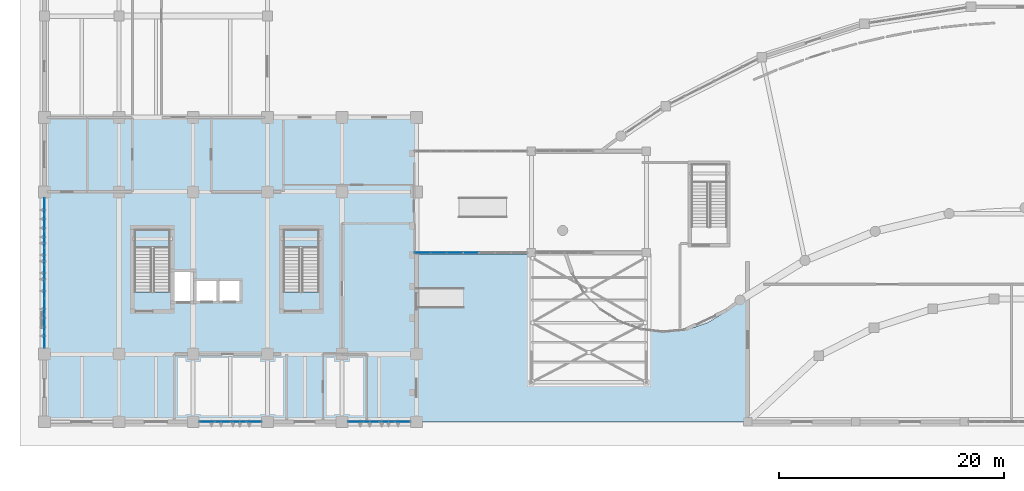
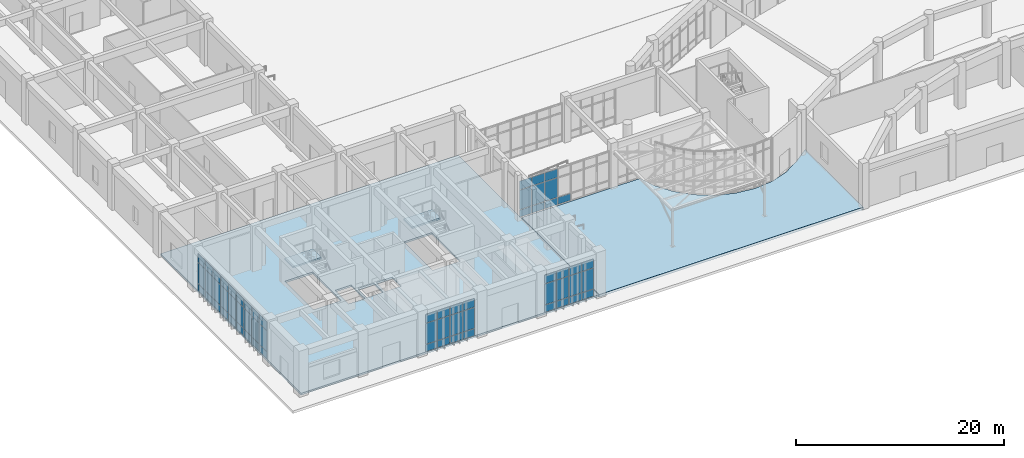
# One storey, part 36 of 70: 61 plates, 4 slabs, 6 elements without a shape of their own.
"""IFC4 building model written with IfcOpenShell, lengths in metres."""

import ifcopenshell
import ifcopenshell.guid

model = None  # the IFC model being written
_history = None  # IfcOwnerHistory: only IFC2X3 demands one
_inside = {}  # id of a spatial element -> (the spatial element, [elements in it])
_under = {}  # id of a project, library or spatial element -> (it, [spatial elements below it])
_declared = {}  # id of a project -> (the project, [libraries it declares])
_typed = {}  # id of a type object -> (the type object, [elements of that type])
_made_of = {}  # id of a material, layer set ... -> (it, [elements and type objects made of it])


def new_model(schema):
    """Start an empty IFC model of exactly this schema.

    Asked for "IFC4X3", IfcOpenShell would pick the latest addendum, in which some entities
    have other attributes; the version numbers below select the first issue.
    IFC2X3 requires an IfcOwnerHistory on every rooted entity: one is made here for all.
    """
    global model, _history
    if schema == "IFC4X3":
        model = ifcopenshell.file(schema_version=(4, 3, 0, 0))
    else:
        model = ifcopenshell.file(schema=schema)
    _inside.clear()
    _under.clear()
    _declared.clear()
    _typed.clear()
    _made_of.clear()
    _history = None
    if model.schema == "IFC2X3":
        org = make("IfcOrganization", Name="unknown")
        user = make(
            "IfcPersonAndOrganization",
            ThePerson=make("IfcPerson", FamilyName="unknown"),
            TheOrganization=org,
        )
        app = make(
            "IfcApplication",
            ApplicationDeveloper=org,
            Version="unknown",
            ApplicationFullName="unknown",
            ApplicationIdentifier="unknown",
        )
        _history = make(
            "IfcOwnerHistory",
            OwningUser=user,
            OwningApplication=app,
            ChangeAction="ADDED",
            CreationDate=0,
        )
    return model


def make(cls, **values):
    """One entity of the class cls with the attributes given. An attribute that is None is left unset."""
    return model.create_entity(
        cls, **{name: value for name, value in values.items() if value is not None}
    )


def rooted(cls, **values):
    """An entity with a GlobalId (a new one), such as an element, a storey or a relation."""
    return make(cls, GlobalId=ifcopenshell.guid.new(), OwnerHistory=_history, **values)


def si_unit(unit_type, name, prefix=None):
    """IfcSIUnit, for example si_unit("LENGTHUNIT", "METRE", prefix="MILLI")."""
    return make("IfcSIUnit", UnitType=unit_type, Prefix=prefix, Name=name)


def assignment(units):
    """IfcUnitAssignment: the units of a project."""
    return None if units is None else make("IfcUnitAssignment", Units=units)


def point(xyz):
    """IfcCartesianPoint."""
    return None if xyz is None else make("IfcCartesianPoint", Coordinates=xyz)


def direction(xyz):
    """IfcDirection."""
    return None if xyz is None else make("IfcDirection", DirectionRatios=xyz)


def frame(location, z_axis=None, x_axis=None):
    """IfcAxis2Placement3D, a coordinate frame: its origin and axes. An axis left out is left unset."""
    return make(
        "IfcAxis2Placement3D",
        Location=point(location),
        Axis=direction(z_axis),
        RefDirection=direction(x_axis),
    )


def frame_2d(location, x_axis=None):
    """IfcAxis2Placement2D, a coordinate frame in the plane: its origin and x axis."""
    return make(
        "IfcAxis2Placement2D", Location=point(location), RefDirection=direction(x_axis)
    )


def origin():
    """The frame at (0, 0, 0) with its axes left unset."""
    return frame((0.0, 0.0, 0.0))


def origin_2d():
    """The frame at (0, 0) in the plane with its x axis left unset."""
    return frame_2d((0.0, 0.0))


def place(relative_to, where):
    """IfcLocalPlacement: puts the frame where relative to a parent placement (None: the world)."""
    return make(
        "IfcLocalPlacement", PlacementRelTo=relative_to, RelativePlacement=where
    )


def context(
    kind, dimensions, precision=None, world=None, true_north=None, identifier=None
):
    """IfcGeometricRepresentationContext, for example the 3D "Model" context."""
    return make(
        "IfcGeometricRepresentationContext",
        ContextIdentifier=identifier,
        ContextType=kind,
        CoordinateSpaceDimension=dimensions,
        Precision=precision,
        WorldCoordinateSystem=world,
        TrueNorth=true_north,
    )


def subcontext(parent, identifier, kind, view, scale=None):
    """IfcGeometricRepresentationSubContext, for example "Body" below "Model"."""
    return make(
        "IfcGeometricRepresentationSubContext",
        ContextIdentifier=identifier,
        ContextType=kind,
        ParentContext=parent,
        TargetScale=scale,
        TargetView=view,
    )


def project(units=None, contexts=None):
    """IfcProject with its units and contexts."""
    return rooted(
        "IfcProject",
        Name="project",
        RepresentationContexts=contexts,
        UnitsInContext=assignment(units),
    )


def spatial(cls, under=None, at=None, **own):
    """A site, building, storey or space (cls), placed at a placement, below another one or the project."""
    s = rooted(cls, ObjectPlacement=at, **own)
    if under is not None:
        _under.setdefault(under.id(), (under, []))[1].append(s)
    return s


def polyline(points):
    """IfcPolyline through the points."""
    return make("IfcPolyline", Points=[point(p) for p in points])


def profile(cls, at=None, kind="AREA", **sizes):
    """A parametric profile (cls). Its sizes go by their IFC names, for example OverallWidth=200.0."""
    return make(cls, ProfileType=kind, Position=at, **sizes)


def rectangle(**sizes):
    """IfcRectangleProfileDef."""
    return profile("IfcRectangleProfileDef", **sizes)


def outline(outer, holes=None, kind="AREA"):
    """IfcArbitraryClosedProfileDef: a profile drawn as a closed curve; with holes, ...WithVoids."""
    if holes is None:
        return make("IfcArbitraryClosedProfileDef", ProfileType=kind, OuterCurve=outer)
    return make(
        "IfcArbitraryProfileDefWithVoids",
        ProfileType=kind,
        OuterCurve=outer,
        InnerCurves=holes,
    )


def extrude(swept, where, along, depth):
    """IfcExtrudedAreaSolid: the profile swept, set in the frame where, extruded along a direction by depth."""
    return make(
        "IfcExtrudedAreaSolid",
        SweptArea=swept,
        Position=where,
        ExtrudedDirection=direction(along),
        Depth=depth,
    )


def shape(context_of_items, identifier, shape_type, items):
    """IfcShapeRepresentation: the items that make up one representation, for example the "Body"."""
    return make(
        "IfcShapeRepresentation",
        ContextOfItems=context_of_items,
        RepresentationIdentifier=identifier,
        RepresentationType=shape_type,
        Items=items,
    )


def material(Name=None, Category=None):
    """IfcMaterial."""
    return make("IfcMaterial", Name=Name, Category=Category)


def layer(
    of_material, thickness, ventilated=None, Name=None, Category=None, Priority=None
):
    """IfcMaterialLayer: one layer of a wall or slab, of a material (None: an air gap)."""
    return make(
        "IfcMaterialLayer",
        Material=of_material,
        LayerThickness=thickness,
        IsVentilated=ventilated,
        Name=Name,
        Category=Category,
        Priority=Priority,
    )


def layer_set(layers, Name=None):
    """IfcMaterialLayerSet."""
    return make("IfcMaterialLayerSet", MaterialLayers=layers, LayerSetName=Name)


def made_of(thing, what):
    """Note that an element or type object is made of a material, layer set ...; save() writes the relation."""
    if what is not None:
        _made_of.setdefault(what.id(), (what, []))[1].append(thing)
    return thing


def type_object(cls, material=None, **own):
    """A type object (cls), such as IfcWallType, which elements share."""
    return made_of(rooted(cls, **own), material)


def element(
    cls,
    number,
    at=None,
    inside=None,
    cuts=None,
    type_object=None,
    material=None,
    context=None,
    identifier="Body",
    shape_type=None,
    held_by="IfcProductDefinitionShape",
    body=None,
    shapes=None,
    **own,
):
    """One element of the class cls, such as IfcWall. Its Tag is "e" and its number.

    at: its placement. inside: the storey or other place that contains it. cuts: it is an
    opening in that element (IfcRelVoidsElement). A single representation is given by context,
    identifier, shape_type and body (its items); several are given by shapes. held_by: the class
    of the entity that holds the representations. save() writes the other relations.
    """
    e = rooted(cls, Tag="e%d" % number, ObjectPlacement=at, **own)
    if body is not None:
        shapes = [shape(context, identifier, shape_type, body)]
    if shapes is not None:
        e.Representation = make(held_by, Representations=shapes)
    if inside is not None:
        _inside.setdefault(inside.id(), (inside, []))[1].append(e)
    if cuts is not None:
        rooted(
            "IfcRelVoidsElement", RelatingBuildingElement=cuts, RelatedOpeningElement=e
        )
    if type_object is not None:
        _typed.setdefault(type_object.id(), (type_object, []))[1].append(e)
    return made_of(e, material)


def aggregate(whole, parts):
    """IfcRelAggregates: a whole, such as a stair, and the parts it consists of."""
    return rooted("IfcRelAggregates", RelatingObject=whole, RelatedObjects=parts)


def save(model, path):
    """Write the relations noted so far, then the file.

    IfcRelAggregates (storeys below a building ...), IfcRelContainedInSpatialStructure (elements
    in a storey), IfcRelDefinesByType, IfcRelAssociatesMaterial and IfcRelDeclares: one each for
    every whole, place, type object, material and project.
    """
    for whole, parts in _under.values():
        aggregate(whole, parts)
    for where, things in _inside.values():
        rooted(
            "IfcRelContainedInSpatialStructure",
            RelatedElements=things,
            RelatingStructure=where,
        )
    for kind, things in _typed.values():
        rooted("IfcRelDefinesByType", RelatedObjects=things, RelatingType=kind)
    for what, things in _made_of.values():
        rooted("IfcRelAssociatesMaterial", RelatedObjects=things, RelatingMaterial=what)
    for by, libraries in _declared.values():
        rooted("IfcRelDeclares", RelatingContext=by, RelatedDefinitions=libraries)
    model.write(path)


model = new_model("IFC4")

# Units and contexts
model_context = context("Model", 3, precision=1e-05, world=origin(), true_north=direction((0.0, 1.0)))
body_context = subcontext(model_context, "Body", "Model", "MODEL_VIEW")
ifc_project = project(units=[si_unit("LENGTHUNIT", "METRE"), si_unit("AREAUNIT", "SQUARE_METRE"), si_unit("VOLUMEUNIT", "CUBIC_METRE"), si_unit("PLANEANGLEUNIT", "RADIAN"), si_unit("MASSUNIT", "GRAM", prefix="KILO")], contexts=[model_context])

# Site, building, storey
site_placement = place(None, origin())
site = spatial("IfcSite", under=ifc_project, at=site_placement, CompositionType="ELEMENT")
building_placement = place(site_placement, origin())
building = spatial("IfcBuilding", under=site, at=building_placement, Name="Miralva Faculty of Natural Sciences", CompositionType="ELEMENT")
storey_placement = place(building_placement, origin())
storey = spatial("IfcBuildingStorey", under=building, at=storey_placement, Name="L00", CompositionType="ELEMENT", Elevation=0.0)

# Curtain wall, plates
ifc_material_1 = material(Name="Laminated solar-control glass", Category="glass")
ifc_layer_1 = layer(ifc_material_1, 0.179931640625, Name="CW-TWR-L00")
ifc_layer_set_1 = layer_set([ifc_layer_1], Name="Laminated solar-control glass")
curtain_wall_type_1 = type_object("IfcCurtainWallType", Name="CW-TWR-L00", PredefinedType="USERDEFINED", material=ifc_layer_set_1)
curtain_wall_1_placement = place(storey_placement, origin())
curtain_wall_1 = element("IfcCurtainWall", 1, at=curtain_wall_1_placement, inside=storey, type_object=curtain_wall_type_1, Name="Curtain wall CW-12 L00-211", ObjectType="UNITISED CURTAIN WALL", PredefinedType="USERDEFINED")
ifc_layer_2 = layer(ifc_material_1, 0.028076171875, Name="PNL-P01")
ifc_layer_set_2 = layer_set([ifc_layer_2], Name="Laminated solar-control glass")
plate_type = type_object("IfcPlateType", Name="PNL-P01", PredefinedType="CURTAIN_PANEL", material=ifc_layer_set_2)
plate_1_placement = place(storey_placement, frame((17.419921875, 3.0, 0.06005859375), z_axis=(0.0, 0.0, 1.0), x_axis=(1.0, 0.0, 0.0)))
plate_1 = element("IfcPlate", 2, at=plate_1_placement, type_object=plate_type, Name="CW-12 panel 1.1", PredefinedType="CURTAIN_PANEL", context=body_context, shape_type="SweptSolid", body=[
    extrude(rectangle(XDim=1.300048828125, YDim=0.028076171875, at=origin_2d()), origin(), (0.0, 0.0, 1.0), 0.81005859375),
])
plate_2_placement = place(storey_placement, frame((17.419921875, 3.0, 0.929931640625), z_axis=(0.0, 0.0, 1.0), x_axis=(1.0, 0.0, 0.0)))
plate_2 = element("IfcPlate", 3, at=plate_2_placement, type_object=plate_type, Name="CW-12 panel 1.2", PredefinedType="CURTAIN_PANEL", context=body_context, shape_type="SweptSolid", body=[
    extrude(rectangle(XDim=1.300048828125, YDim=0.028076171875, at=origin_2d()), origin(), (0.0, 0.0, 1.0), 2.4150390625),
])
plate_3_placement = place(storey_placement, frame((17.419921875, 3.0, 3.40478515625), z_axis=(0.0, 0.0, 1.0), x_axis=(1.0, 0.0, 0.0)))
plate_3 = element("IfcPlate", 4, at=plate_3_placement, type_object=plate_type, Name="CW-12 panel 1.3", PredefinedType="CURTAIN_PANEL", context=body_context, shape_type="SweptSolid", body=[
    extrude(rectangle(XDim=1.300048828125, YDim=0.028076171875, at=origin_2d()), origin(), (0.0, 0.0, 1.0), 1.010009765625),
])
plate_4_placement = place(storey_placement, frame((18.80126953125, 3.0, 0.06005859375), z_axis=(0.0, 0.0, 1.0), x_axis=(1.0, 0.0, 0.0)))
plate_4 = element("IfcPlate", 5, at=plate_4_placement, type_object=plate_type, Name="CW-12 panel 2.1", PredefinedType="CURTAIN_PANEL", context=body_context, shape_type="SweptSolid", body=[
    extrude(rectangle(XDim=1.33251953125, YDim=0.028076171875, at=origin_2d()), origin(), (0.0, 0.0, 1.0), 0.81005859375),
])
plate_5_placement = place(storey_placement, frame((18.80126953125, 3.0, 0.929931640625), z_axis=(0.0, 0.0, 1.0), x_axis=(1.0, 0.0, 0.0)))
plate_5 = element("IfcPlate", 6, at=plate_5_placement, type_object=plate_type, Name="CW-12 panel 2.2", PredefinedType="CURTAIN_PANEL", context=body_context, shape_type="SweptSolid", body=[
    extrude(rectangle(XDim=1.33251953125, YDim=0.028076171875, at=origin_2d()), origin(), (0.0, 0.0, 1.0), 2.4150390625),
])
plate_6_placement = place(storey_placement, frame((18.80126953125, 3.0, 3.40478515625), z_axis=(0.0, 0.0, 1.0), x_axis=(1.0, 0.0, 0.0)))
plate_6 = element("IfcPlate", 7, at=plate_6_placement, type_object=plate_type, Name="CW-12 panel 2.3", PredefinedType="CURTAIN_PANEL", context=body_context, shape_type="SweptSolid", body=[
    extrude(rectangle(XDim=1.33251953125, YDim=0.028076171875, at=origin_2d()), origin(), (0.0, 0.0, 1.0), 1.010009765625),
])
plate_7_placement = place(storey_placement, frame((20.19873046875, 3.0, 0.06005859375), z_axis=(0.0, 0.0, 1.0), x_axis=(1.0, 0.0, 0.0)))
plate_7 = element("IfcPlate", 8, at=plate_7_placement, type_object=plate_type, Name="CW-12 panel 3.1", PredefinedType="CURTAIN_PANEL", context=body_context, shape_type="SweptSolid", body=[
    extrude(rectangle(XDim=1.33251953125, YDim=0.028076171875, at=origin_2d()), origin(), (0.0, 0.0, 1.0), 0.81005859375),
])
plate_8_placement = place(storey_placement, frame((20.19873046875, 3.0, 0.929931640625), z_axis=(0.0, 0.0, 1.0), x_axis=(1.0, 0.0, 0.0)))
plate_8 = element("IfcPlate", 9, at=plate_8_placement, type_object=plate_type, Name="CW-12 panel 3.2", PredefinedType="CURTAIN_PANEL", context=body_context, shape_type="SweptSolid", body=[
    extrude(rectangle(XDim=1.33251953125, YDim=0.028076171875, at=origin_2d()), origin(), (0.0, 0.0, 1.0), 2.4150390625),
])
plate_9_placement = place(storey_placement, frame((20.19873046875, 3.0, 3.40478515625), z_axis=(0.0, 0.0, 1.0), x_axis=(1.0, 0.0, 0.0)))
plate_9 = element("IfcPlate", 10, at=plate_9_placement, type_object=plate_type, Name="CW-12 panel 3.3", PredefinedType="CURTAIN_PANEL", context=body_context, shape_type="SweptSolid", body=[
    extrude(rectangle(XDim=1.33251953125, YDim=0.028076171875, at=origin_2d()), origin(), (0.0, 0.0, 1.0), 1.010009765625),
])
plate_10_placement = place(storey_placement, frame((21.580078125, 3.0, 0.06005859375), z_axis=(0.0, 0.0, 1.0), x_axis=(1.0, 0.0, 0.0)))
plate_10 = element("IfcPlate", 11, at=plate_10_placement, type_object=plate_type, Name="CW-12 panel 4.1", PredefinedType="CURTAIN_PANEL", context=body_context, shape_type="SweptSolid", body=[
    extrude(rectangle(XDim=1.300048828125, YDim=0.028076171875, at=origin_2d()), origin(), (0.0, 0.0, 1.0), 0.81005859375),
])
plate_11_placement = place(storey_placement, frame((21.580078125, 3.0, 0.929931640625), z_axis=(0.0, 0.0, 1.0), x_axis=(1.0, 0.0, 0.0)))
plate_11 = element("IfcPlate", 12, at=plate_11_placement, type_object=plate_type, Name="CW-12 panel 4.2", PredefinedType="CURTAIN_PANEL", context=body_context, shape_type="SweptSolid", body=[
    extrude(rectangle(XDim=1.300048828125, YDim=0.028076171875, at=origin_2d()), origin(), (0.0, 0.0, 1.0), 2.4150390625),
])
plate_12_placement = place(storey_placement, frame((21.580078125, 3.0, 3.40478515625), z_axis=(0.0, 0.0, 1.0), x_axis=(1.0, 0.0, 0.0)))
plate_12 = element("IfcPlate", 13, at=plate_12_placement, type_object=plate_type, Name="CW-12 panel 4.3", PredefinedType="CURTAIN_PANEL", context=body_context, shape_type="SweptSolid", body=[
    extrude(rectangle(XDim=1.300048828125, YDim=0.028076171875, at=origin_2d()), origin(), (0.0, 0.0, 1.0), 1.010009765625),
])
aggregate(curtain_wall_1, [plate_1, plate_2, plate_3, plate_4, plate_5, plate_6, plate_7, plate_8, plate_9, plate_10, plate_11, plate_12])

curtain_wall_2_placement = place(storey_placement, origin())
curtain_wall_2 = element("IfcCurtainWall", 14, at=curtain_wall_2_placement, inside=storey, type_object=curtain_wall_type_1, Name="Curtain wall CW-12 L00-212", ObjectType="UNITISED CURTAIN WALL", PredefinedType="USERDEFINED")
plate_13_placement = place(storey_placement, frame((30.61865234375, 3.0, 0.06005859375), z_axis=(0.0, 0.0, 1.0), x_axis=(1.0, 0.0, 0.0)))
plate_13 = element("IfcPlate", 15, at=plate_13_placement, type_object=plate_type, Name="CW-12 panel 1.1", PredefinedType="CURTAIN_PANEL", context=body_context, shape_type="SweptSolid", body=[
    extrude(rectangle(XDim=1.297607421875, YDim=0.028076171875, at=origin_2d()), origin(), (0.0, 0.0, 1.0), 0.81005859375),
])
plate_14_placement = place(storey_placement, frame((30.61865234375, 3.0, 0.929931640625), z_axis=(0.0, 0.0, 1.0), x_axis=(1.0, 0.0, 0.0)))
plate_14 = element("IfcPlate", 16, at=plate_14_placement, type_object=plate_type, Name="CW-12 panel 1.2", PredefinedType="CURTAIN_PANEL", context=body_context, shape_type="SweptSolid", body=[
    extrude(rectangle(XDim=1.297607421875, YDim=0.028076171875, at=origin_2d()), origin(), (0.0, 0.0, 1.0), 2.4150390625),
])
plate_15_placement = place(storey_placement, frame((30.61865234375, 3.0, 3.40478515625), z_axis=(0.0, 0.0, 1.0), x_axis=(1.0, 0.0, 0.0)))
plate_15 = element("IfcPlate", 17, at=plate_15_placement, type_object=plate_type, Name="CW-12 panel 1.3", PredefinedType="CURTAIN_PANEL", context=body_context, shape_type="SweptSolid", body=[
    extrude(rectangle(XDim=1.297607421875, YDim=0.028076171875, at=origin_2d()), origin(), (0.0, 0.0, 1.0), 1.010009765625),
])
plate_16_placement = place(storey_placement, frame((31.99755859375, 3.0, 0.06005859375), z_axis=(0.0, 0.0, 1.0), x_axis=(1.0, 0.0, 0.0)))
plate_16 = element("IfcPlate", 18, at=plate_16_placement, type_object=plate_type, Name="CW-12 panel 2.1", PredefinedType="CURTAIN_PANEL", context=body_context, shape_type="SweptSolid", body=[
    extrude(rectangle(XDim=1.330078125, YDim=0.028076171875, at=origin_2d()), origin(), (0.0, 0.0, 1.0), 0.81005859375),
])
plate_17_placement = place(storey_placement, frame((31.99755859375, 3.0, 0.929931640625), z_axis=(0.0, 0.0, 1.0), x_axis=(1.0, 0.0, 0.0)))
plate_17 = element("IfcPlate", 19, at=plate_17_placement, type_object=plate_type, Name="CW-12 panel 2.2", PredefinedType="CURTAIN_PANEL", context=body_context, shape_type="SweptSolid", body=[
    extrude(rectangle(XDim=1.330078125, YDim=0.028076171875, at=origin_2d()), origin(), (0.0, 0.0, 1.0), 2.4150390625),
])
plate_18_placement = place(storey_placement, frame((31.99755859375, 3.0, 3.40478515625), z_axis=(0.0, 0.0, 1.0), x_axis=(1.0, 0.0, 0.0)))
plate_18 = element("IfcPlate", 20, at=plate_18_placement, type_object=plate_type, Name="CW-12 panel 2.3", PredefinedType="CURTAIN_PANEL", context=body_context, shape_type="SweptSolid", body=[
    extrude(rectangle(XDim=1.330078125, YDim=0.028076171875, at=origin_2d()), origin(), (0.0, 0.0, 1.0), 1.010009765625),
])
plate_19_placement = place(storey_placement, frame((33.392578125, 3.0, 0.06005859375), z_axis=(0.0, 0.0, 1.0), x_axis=(1.0, 0.0, 0.0)))
plate_19 = element("IfcPlate", 21, at=plate_19_placement, type_object=plate_type, Name="CW-12 panel 3.1", PredefinedType="CURTAIN_PANEL", context=body_context, shape_type="SweptSolid", body=[
    extrude(rectangle(XDim=1.330078125, YDim=0.028076171875, at=origin_2d()), origin(), (0.0, 0.0, 1.0), 0.81005859375),
])
plate_20_placement = place(storey_placement, frame((33.392578125, 3.0, 0.929931640625), z_axis=(0.0, 0.0, 1.0), x_axis=(1.0, 0.0, 0.0)))
plate_20 = element("IfcPlate", 22, at=plate_20_placement, type_object=plate_type, Name="CW-12 panel 3.2", PredefinedType="CURTAIN_PANEL", context=body_context, shape_type="SweptSolid", body=[
    extrude(rectangle(XDim=1.330078125, YDim=0.028076171875, at=origin_2d()), origin(), (0.0, 0.0, 1.0), 2.4150390625),
])
plate_21_placement = place(storey_placement, frame((33.392578125, 3.0, 3.40478515625), z_axis=(0.0, 0.0, 1.0), x_axis=(1.0, 0.0, 0.0)))
plate_21 = element("IfcPlate", 23, at=plate_21_placement, type_object=plate_type, Name="CW-12 panel 3.3", PredefinedType="CURTAIN_PANEL", context=body_context, shape_type="SweptSolid", body=[
    extrude(rectangle(XDim=1.330078125, YDim=0.028076171875, at=origin_2d()), origin(), (0.0, 0.0, 1.0), 1.010009765625),
])
plate_22_placement = place(storey_placement, frame((34.771240234375, 3.0, 0.06005859375), z_axis=(0.0, 0.0, 1.0), x_axis=(1.0, 0.0, 0.0)))
plate_22 = element("IfcPlate", 24, at=plate_22_placement, type_object=plate_type, Name="CW-12 panel 4.1", PredefinedType="CURTAIN_PANEL", context=body_context, shape_type="SweptSolid", body=[
    extrude(rectangle(XDim=1.297607421875, YDim=0.028076171875, at=origin_2d()), origin(), (0.0, 0.0, 1.0), 0.81005859375),
])
plate_23_placement = place(storey_placement, frame((34.771240234375, 3.0, 0.929931640625), z_axis=(0.0, 0.0, 1.0), x_axis=(1.0, 0.0, 0.0)))
plate_23 = element("IfcPlate", 25, at=plate_23_placement, type_object=plate_type, Name="CW-12 panel 4.2", PredefinedType="CURTAIN_PANEL", context=body_context, shape_type="SweptSolid", body=[
    extrude(rectangle(XDim=1.297607421875, YDim=0.028076171875, at=origin_2d()), origin(), (0.0, 0.0, 1.0), 2.4150390625),
])
plate_24_placement = place(storey_placement, frame((34.771240234375, 3.0, 3.40478515625), z_axis=(0.0, 0.0, 1.0), x_axis=(1.0, 0.0, 0.0)))
plate_24 = element("IfcPlate", 26, at=plate_24_placement, type_object=plate_type, Name="CW-12 panel 4.3", PredefinedType="CURTAIN_PANEL", context=body_context, shape_type="SweptSolid", body=[
    extrude(rectangle(XDim=1.297607421875, YDim=0.028076171875, at=origin_2d()), origin(), (0.0, 0.0, 1.0), 1.010009765625),
])
aggregate(curtain_wall_2, [plate_13, plate_14, plate_15, plate_16, plate_17, plate_18, plate_19, plate_20, plate_21, plate_22, plate_23, plate_24])

curtain_wall_3_placement = place(storey_placement, origin())
curtain_wall_3 = element("IfcCurtainWall", 27, at=curtain_wall_3_placement, inside=storey, type_object=curtain_wall_type_1, Name="Curtain wall CW-12 L00-213", ObjectType="UNITISED CURTAIN WALL", PredefinedType="USERDEFINED")
plate_25_placement = place(storey_placement, frame((3.0, 10.27392578125, 0.06005859375), z_axis=(0.0, 0.0, 1.0), x_axis=(0.0, 1.0, 0.0)))
plate_25 = element("IfcPlate", 28, at=plate_25_placement, type_object=plate_type, Name="CW-12 panel 1.1", PredefinedType="CURTAIN_PANEL", context=body_context, shape_type="SweptSolid", body=[
    extrude(rectangle(XDim=1.387939453125, YDim=0.028076171875, at=origin_2d()), origin(), (0.0, 0.0, 1.0), 0.81005859375),
])
plate_26_placement = place(storey_placement, frame((3.0, 10.27392578125, 0.929931640625), z_axis=(0.0, 0.0, 1.0), x_axis=(0.0, 1.0, 0.0)))
plate_26 = element("IfcPlate", 29, at=plate_26_placement, type_object=plate_type, Name="CW-12 panel 1.2", PredefinedType="CURTAIN_PANEL", context=body_context, shape_type="SweptSolid", body=[
    extrude(rectangle(XDim=1.387939453125, YDim=0.028076171875, at=origin_2d()), origin(), (0.0, 0.0, 1.0), 2.4150390625),
])
plate_27_placement = place(storey_placement, frame((3.0, 10.27392578125, 3.40478515625), z_axis=(0.0, 0.0, 1.0), x_axis=(0.0, 1.0, 0.0)))
plate_27 = element("IfcPlate", 30, at=plate_27_placement, type_object=plate_type, Name="CW-12 panel 1.3", PredefinedType="CURTAIN_PANEL", context=body_context, shape_type="SweptSolid", body=[
    extrude(rectangle(XDim=1.387939453125, YDim=0.028076171875, at=origin_2d()), origin(), (0.0, 0.0, 1.0), 1.010009765625),
])
plate_28_placement = place(storey_placement, frame((3.0, 11.743408203125, 0.06005859375), z_axis=(0.0, 0.0, 1.0), x_axis=(0.0, 1.0, 0.0)))
plate_28 = element("IfcPlate", 31, at=plate_28_placement, type_object=plate_type, Name="CW-12 panel 2.1", PredefinedType="CURTAIN_PANEL", context=body_context, shape_type="SweptSolid", body=[
    extrude(rectangle(XDim=1.420654296875, YDim=0.028076171875, at=origin_2d()), origin(), (0.0, 0.0, 1.0), 0.81005859375),
])
plate_29_placement = place(storey_placement, frame((3.0, 11.743408203125, 0.929931640625), z_axis=(0.0, 0.0, 1.0), x_axis=(0.0, 1.0, 0.0)))
plate_29 = element("IfcPlate", 32, at=plate_29_placement, type_object=plate_type, Name="CW-12 panel 2.2", PredefinedType="CURTAIN_PANEL", context=body_context, shape_type="SweptSolid", body=[
    extrude(rectangle(XDim=1.420654296875, YDim=0.028076171875, at=origin_2d()), origin(), (0.0, 0.0, 1.0), 2.4150390625),
])
plate_30_placement = place(storey_placement, frame((3.0, 11.743408203125, 3.40478515625), z_axis=(0.0, 0.0, 1.0), x_axis=(0.0, 1.0, 0.0)))
plate_30 = element("IfcPlate", 33, at=plate_30_placement, type_object=plate_type, Name="CW-12 panel 2.3", PredefinedType="CURTAIN_PANEL", context=body_context, shape_type="SweptSolid", body=[
    extrude(rectangle(XDim=1.420654296875, YDim=0.028076171875, at=origin_2d()), origin(), (0.0, 0.0, 1.0), 1.010009765625),
])
plate_31_placement = place(storey_placement, frame((3.0, 13.22900390625, 0.06005859375), z_axis=(0.0, 0.0, 1.0), x_axis=(0.0, 1.0, 0.0)))
plate_31 = element("IfcPlate", 34, at=plate_31_placement, type_object=plate_type, Name="CW-12 panel 3.1", PredefinedType="CURTAIN_PANEL", context=body_context, shape_type="SweptSolid", body=[
    extrude(rectangle(XDim=1.420654296875, YDim=0.028076171875, at=origin_2d()), origin(), (0.0, 0.0, 1.0), 0.81005859375),
])
plate_32_placement = place(storey_placement, frame((3.0, 13.22900390625, 0.929931640625), z_axis=(0.0, 0.0, 1.0), x_axis=(0.0, 1.0, 0.0)))
plate_32 = element("IfcPlate", 35, at=plate_32_placement, type_object=plate_type, Name="CW-12 panel 3.2", PredefinedType="CURTAIN_PANEL", context=body_context, shape_type="SweptSolid", body=[
    extrude(rectangle(XDim=1.420654296875, YDim=0.028076171875, at=origin_2d()), origin(), (0.0, 0.0, 1.0), 2.4150390625),
])
plate_33_placement = place(storey_placement, frame((3.0, 13.22900390625, 3.40478515625), z_axis=(0.0, 0.0, 1.0), x_axis=(0.0, 1.0, 0.0)))
plate_33 = element("IfcPlate", 36, at=plate_33_placement, type_object=plate_type, Name="CW-12 panel 3.3", PredefinedType="CURTAIN_PANEL", context=body_context, shape_type="SweptSolid", body=[
    extrude(rectangle(XDim=1.420654296875, YDim=0.028076171875, at=origin_2d()), origin(), (0.0, 0.0, 1.0), 1.010009765625),
])
plate_34_placement = place(storey_placement, frame((3.0, 14.71435546875, 0.06005859375), z_axis=(0.0, 0.0, 1.0), x_axis=(0.0, 1.0, 0.0)))
plate_34 = element("IfcPlate", 37, at=plate_34_placement, type_object=plate_type, Name="CW-12 panel 4.1", PredefinedType="CURTAIN_PANEL", context=body_context, shape_type="SweptSolid", body=[
    extrude(rectangle(XDim=1.420654296875, YDim=0.028076171875, at=origin_2d()), origin(), (0.0, 0.0, 1.0), 0.81005859375),
])
plate_35_placement = place(storey_placement, frame((3.0, 14.71435546875, 0.929931640625), z_axis=(0.0, 0.0, 1.0), x_axis=(0.0, 1.0, 0.0)))
plate_35 = element("IfcPlate", 38, at=plate_35_placement, type_object=plate_type, Name="CW-12 panel 4.2", PredefinedType="CURTAIN_PANEL", context=body_context, shape_type="SweptSolid", body=[
    extrude(rectangle(XDim=1.420654296875, YDim=0.028076171875, at=origin_2d()), origin(), (0.0, 0.0, 1.0), 2.4150390625),
])
plate_36_placement = place(storey_placement, frame((3.0, 14.71435546875, 3.40478515625), z_axis=(0.0, 0.0, 1.0), x_axis=(0.0, 1.0, 0.0)))
plate_36 = element("IfcPlate", 39, at=plate_36_placement, type_object=plate_type, Name="CW-12 panel 4.3", PredefinedType="CURTAIN_PANEL", context=body_context, shape_type="SweptSolid", body=[
    extrude(rectangle(XDim=1.420654296875, YDim=0.028076171875, at=origin_2d()), origin(), (0.0, 0.0, 1.0), 1.010009765625),
])
plate_37_placement = place(storey_placement, frame((3.0, 16.199951171875, 0.06005859375), z_axis=(0.0, 0.0, 1.0), x_axis=(0.0, 1.0, 0.0)))
plate_37 = element("IfcPlate", 40, at=plate_37_placement, type_object=plate_type, Name="CW-12 panel 5.1", PredefinedType="CURTAIN_PANEL", context=body_context, shape_type="SweptSolid", body=[
    extrude(rectangle(XDim=1.420654296875, YDim=0.028076171875, at=origin_2d()), origin(), (0.0, 0.0, 1.0), 0.81005859375),
])
plate_38_placement = place(storey_placement, frame((3.0, 16.199951171875, 0.929931640625), z_axis=(0.0, 0.0, 1.0), x_axis=(0.0, 1.0, 0.0)))
plate_38 = element("IfcPlate", 41, at=plate_38_placement, type_object=plate_type, Name="CW-12 panel 5.2", PredefinedType="CURTAIN_PANEL", context=body_context, shape_type="SweptSolid", body=[
    extrude(rectangle(XDim=1.420654296875, YDim=0.028076171875, at=origin_2d()), origin(), (0.0, 0.0, 1.0), 2.4150390625),
])
plate_39_placement = place(storey_placement, frame((3.0, 16.199951171875, 3.40478515625), z_axis=(0.0, 0.0, 1.0), x_axis=(0.0, 1.0, 0.0)))
plate_39 = element("IfcPlate", 42, at=plate_39_placement, type_object=plate_type, Name="CW-12 panel 5.3", PredefinedType="CURTAIN_PANEL", context=body_context, shape_type="SweptSolid", body=[
    extrude(rectangle(XDim=1.420654296875, YDim=0.028076171875, at=origin_2d()), origin(), (0.0, 0.0, 1.0), 1.010009765625),
])
plate_40_placement = place(storey_placement, frame((3.0, 17.685546875, 0.06005859375), z_axis=(0.0, 0.0, 1.0), x_axis=(0.0, 1.0, 0.0)))
plate_40 = element("IfcPlate", 43, at=plate_40_placement, type_object=plate_type, Name="CW-12 panel 6.1", PredefinedType="CURTAIN_PANEL", context=body_context, shape_type="SweptSolid", body=[
    extrude(rectangle(XDim=1.420654296875, YDim=0.028076171875, at=origin_2d()), origin(), (0.0, 0.0, 1.0), 0.81005859375),
])
plate_41_placement = place(storey_placement, frame((3.0, 17.685546875, 0.929931640625), z_axis=(0.0, 0.0, 1.0), x_axis=(0.0, 1.0, 0.0)))
plate_41 = element("IfcPlate", 44, at=plate_41_placement, type_object=plate_type, Name="CW-12 panel 6.2", PredefinedType="CURTAIN_PANEL", context=body_context, shape_type="SweptSolid", body=[
    extrude(rectangle(XDim=1.420654296875, YDim=0.028076171875, at=origin_2d()), origin(), (0.0, 0.0, 1.0), 2.4150390625),
])
plate_42_placement = place(storey_placement, frame((3.0, 17.685546875, 3.40478515625), z_axis=(0.0, 0.0, 1.0), x_axis=(0.0, 1.0, 0.0)))
plate_42 = element("IfcPlate", 45, at=plate_42_placement, type_object=plate_type, Name="CW-12 panel 6.3", PredefinedType="CURTAIN_PANEL", context=body_context, shape_type="SweptSolid", body=[
    extrude(rectangle(XDim=1.420654296875, YDim=0.028076171875, at=origin_2d()), origin(), (0.0, 0.0, 1.0), 1.010009765625),
])
plate_43_placement = place(storey_placement, frame((3.0, 19.171142578125, 0.06005859375), z_axis=(0.0, 0.0, 1.0), x_axis=(0.0, 1.0, 0.0)))
plate_43 = element("IfcPlate", 46, at=plate_43_placement, type_object=plate_type, Name="CW-12 panel 7.1", PredefinedType="CURTAIN_PANEL", context=body_context, shape_type="SweptSolid", body=[
    extrude(rectangle(XDim=1.420654296875, YDim=0.028076171875, at=origin_2d()), origin(), (0.0, 0.0, 1.0), 0.81005859375),
])
plate_44_placement = place(storey_placement, frame((3.0, 19.171142578125, 0.929931640625), z_axis=(0.0, 0.0, 1.0), x_axis=(0.0, 1.0, 0.0)))
plate_44 = element("IfcPlate", 47, at=plate_44_placement, type_object=plate_type, Name="CW-12 panel 7.2", PredefinedType="CURTAIN_PANEL", context=body_context, shape_type="SweptSolid", body=[
    extrude(rectangle(XDim=1.420654296875, YDim=0.028076171875, at=origin_2d()), origin(), (0.0, 0.0, 1.0), 2.4150390625),
])
plate_45_placement = place(storey_placement, frame((3.0, 19.171142578125, 3.40478515625), z_axis=(0.0, 0.0, 1.0), x_axis=(0.0, 1.0, 0.0)))
plate_45 = element("IfcPlate", 48, at=plate_45_placement, type_object=plate_type, Name="CW-12 panel 7.3", PredefinedType="CURTAIN_PANEL", context=body_context, shape_type="SweptSolid", body=[
    extrude(rectangle(XDim=1.420654296875, YDim=0.028076171875, at=origin_2d()), origin(), (0.0, 0.0, 1.0), 1.010009765625),
])
plate_46_placement = place(storey_placement, frame((3.0, 20.65673828125, 0.06005859375), z_axis=(0.0, 0.0, 1.0), x_axis=(0.0, 1.0, 0.0)))
plate_46 = element("IfcPlate", 49, at=plate_46_placement, type_object=plate_type, Name="CW-12 panel 8.1", PredefinedType="CURTAIN_PANEL", context=body_context, shape_type="SweptSolid", body=[
    extrude(rectangle(XDim=1.420654296875, YDim=0.028076171875, at=origin_2d()), origin(), (0.0, 0.0, 1.0), 0.81005859375),
])
plate_47_placement = place(storey_placement, frame((3.0, 20.65673828125, 0.929931640625), z_axis=(0.0, 0.0, 1.0), x_axis=(0.0, 1.0, 0.0)))
plate_47 = element("IfcPlate", 50, at=plate_47_placement, type_object=plate_type, Name="CW-12 panel 8.2", PredefinedType="CURTAIN_PANEL", context=body_context, shape_type="SweptSolid", body=[
    extrude(rectangle(XDim=1.420654296875, YDim=0.028076171875, at=origin_2d()), origin(), (0.0, 0.0, 1.0), 2.4150390625),
])
plate_48_placement = place(storey_placement, frame((3.0, 20.65673828125, 3.40478515625), z_axis=(0.0, 0.0, 1.0), x_axis=(0.0, 1.0, 0.0)))
plate_48 = element("IfcPlate", 51, at=plate_48_placement, type_object=plate_type, Name="CW-12 panel 8.3", PredefinedType="CURTAIN_PANEL", context=body_context, shape_type="SweptSolid", body=[
    extrude(rectangle(XDim=1.420654296875, YDim=0.028076171875, at=origin_2d()), origin(), (0.0, 0.0, 1.0), 1.010009765625),
])
plate_49_placement = place(storey_placement, frame((3.0, 22.1259765625, 0.06005859375), z_axis=(0.0, 0.0, 1.0), x_axis=(0.0, 1.0, 0.0)))
plate_49 = element("IfcPlate", 52, at=plate_49_placement, type_object=plate_type, Name="CW-12 panel 9.1", PredefinedType="CURTAIN_PANEL", context=body_context, shape_type="SweptSolid", body=[
    extrude(rectangle(XDim=1.387939453125, YDim=0.028076171875, at=origin_2d()), origin(), (0.0, 0.0, 1.0), 0.81005859375),
])
plate_50_placement = place(storey_placement, frame((3.0, 22.1259765625, 0.929931640625), z_axis=(0.0, 0.0, 1.0), x_axis=(0.0, 1.0, 0.0)))
plate_50 = element("IfcPlate", 53, at=plate_50_placement, type_object=plate_type, Name="CW-12 panel 9.2", PredefinedType="CURTAIN_PANEL", context=body_context, shape_type="SweptSolid", body=[
    extrude(rectangle(XDim=1.387939453125, YDim=0.028076171875, at=origin_2d()), origin(), (0.0, 0.0, 1.0), 2.4150390625),
])
plate_51_placement = place(storey_placement, frame((3.0, 22.1259765625, 3.40478515625), z_axis=(0.0, 0.0, 1.0), x_axis=(0.0, 1.0, 0.0)))
plate_51 = element("IfcPlate", 54, at=plate_51_placement, type_object=plate_type, Name="CW-12 panel 9.3", PredefinedType="CURTAIN_PANEL", context=body_context, shape_type="SweptSolid", body=[
    extrude(rectangle(XDim=1.387939453125, YDim=0.028076171875, at=origin_2d()), origin(), (0.0, 0.0, 1.0), 1.010009765625),
])
aggregate(curtain_wall_3, [plate_25, plate_26, plate_27, plate_28, plate_29, plate_30, plate_31, plate_32, plate_33, plate_34, plate_35, plate_36, plate_37, plate_38, plate_39, plate_40, plate_41, plate_42, plate_43, plate_44, plate_45, plate_46, plate_47, plate_48, plate_49, plate_50, plate_51])

ifc_layer_3 = layer(ifc_material_1, 0.179931640625, Name="CW-COM-L01")
ifc_layer_set_3 = layer_set([ifc_layer_3], Name="Laminated solar-control glass")
curtain_wall_type_2 = type_object("IfcCurtainWallType", Name="CW-COM-L01", PredefinedType="USERDEFINED", material=ifc_layer_set_3)
curtain_wall_4_placement = place(storey_placement, origin())
curtain_wall_4 = element("IfcCurtainWall", 55, at=curtain_wall_4_placement, inside=storey, type_object=curtain_wall_type_2, Name="Curtain wall CW-10 L00-282", ObjectType="UNITISED CURTAIN WALL", PredefinedType="USERDEFINED")
plate_52_placement = place(storey_placement, frame((36.54638671875, 18.0, 0.06005859375), z_axis=(0.0, 0.0, 1.0), x_axis=(1.0, 0.0, 0.0)))
plate_52 = element("IfcPlate", 56, at=plate_52_placement, type_object=plate_type, Name="CW-10 panel 1.1", PredefinedType="CURTAIN_PANEL", context=body_context, shape_type="SweptSolid", body=[
    extrude(rectangle(XDim=1.3427734375, YDim=0.028076171875, at=origin_2d()), origin(), (0.0, 0.0, 1.0), 0.81005859375),
])
plate_53_placement = place(storey_placement, frame((36.54638671875, 18.0, 0.93017578125), z_axis=(0.0, 0.0, 1.0), x_axis=(1.0, 0.0, 0.0)))
plate_53 = element("IfcPlate", 57, at=plate_53_placement, type_object=plate_type, Name="CW-10 panel 1.2", PredefinedType="CURTAIN_PANEL", context=body_context, shape_type="SweptSolid", body=[
    extrude(rectangle(XDim=1.3427734375, YDim=0.028076171875, at=origin_2d()), origin(), (0.0, 0.0, 1.0), 2.264892578125),
])
plate_54_placement = place(storey_placement, frame((36.54638671875, 18.0, 3.2548828125), z_axis=(0.0, 0.0, 1.0), x_axis=(1.0, 0.0, 0.0)))
plate_54 = element("IfcPlate", 58, at=plate_54_placement, type_object=plate_type, Name="CW-10 panel 1.3", PredefinedType="CURTAIN_PANEL", context=body_context, shape_type="SweptSolid", body=[
    extrude(rectangle(XDim=1.3427734375, YDim=0.028076171875, at=origin_2d()), origin(), (0.0, 0.0, 1.0), 1.010009765625),
])
plate_55_placement = place(storey_placement, frame((37.96435546875, 18.0, 0.06005859375), z_axis=(0.0, 0.0, 1.0), x_axis=(1.0, 0.0, 0.0)))
plate_55 = element("IfcPlate", 59, at=plate_55_placement, type_object=plate_type, Name="CW-10 panel 2.1", PredefinedType="CURTAIN_PANEL", context=body_context, shape_type="SweptSolid", body=[
    extrude(rectangle(XDim=1.372802734375, YDim=0.028076171875, at=origin_2d()), origin(), (0.0, 0.0, 1.0), 0.81005859375),
])
plate_56_placement = place(storey_placement, frame((37.96435546875, 18.0, 0.93017578125), z_axis=(0.0, 0.0, 1.0), x_axis=(1.0, 0.0, 0.0)))
plate_56 = element("IfcPlate", 60, at=plate_56_placement, type_object=plate_type, Name="CW-10 panel 2.2", PredefinedType="CURTAIN_PANEL", context=body_context, shape_type="SweptSolid", body=[
    extrude(rectangle(XDim=1.372802734375, YDim=0.028076171875, at=origin_2d()), origin(), (0.0, 0.0, 1.0), 2.264892578125),
])
plate_57_placement = place(storey_placement, frame((37.96435546875, 18.0, 3.2548828125), z_axis=(0.0, 0.0, 1.0), x_axis=(1.0, 0.0, 0.0)))
plate_57 = element("IfcPlate", 61, at=plate_57_placement, type_object=plate_type, Name="CW-10 panel 2.3", PredefinedType="CURTAIN_PANEL", context=body_context, shape_type="SweptSolid", body=[
    extrude(rectangle(XDim=1.372802734375, YDim=0.028076171875, at=origin_2d()), origin(), (0.0, 0.0, 1.0), 1.010009765625),
])
plate_58_placement = place(storey_placement, frame((39.397216796875, 18.0, 0.06005859375), z_axis=(0.0, 0.0, 1.0), x_axis=(1.0, 0.0, 0.0)))
plate_58 = element("IfcPlate", 62, at=plate_58_placement, type_object=plate_type, Name="CW-10 panel 3.1", PredefinedType="CURTAIN_PANEL", context=body_context, shape_type="SweptSolid", body=[
    extrude(rectangle(XDim=1.372802734375, YDim=0.028076171875, at=origin_2d()), origin(), (0.0, 0.0, 1.0), 0.81005859375),
])
plate_59_placement = place(storey_placement, frame((39.397216796875, 18.0, 0.93017578125), z_axis=(0.0, 0.0, 1.0), x_axis=(1.0, 0.0, 0.0)))
plate_59 = element("IfcPlate", 63, at=plate_59_placement, type_object=plate_type, Name="CW-10 panel 3.2", PredefinedType="CURTAIN_PANEL", context=body_context, shape_type="SweptSolid", body=[
    extrude(rectangle(XDim=1.372802734375, YDim=0.028076171875, at=origin_2d()), origin(), (0.0, 0.0, 1.0), 2.264892578125),
])
plate_60_placement = place(storey_placement, frame((39.397216796875, 18.0, 3.2548828125), z_axis=(0.0, 0.0, 1.0), x_axis=(1.0, 0.0, 0.0)))
plate_60 = element("IfcPlate", 64, at=plate_60_placement, type_object=plate_type, Name="CW-10 panel 3.3", PredefinedType="CURTAIN_PANEL", context=body_context, shape_type="SweptSolid", body=[
    extrude(rectangle(XDim=1.372802734375, YDim=0.028076171875, at=origin_2d()), origin(), (0.0, 0.0, 1.0), 1.010009765625),
])
plate_61_placement = place(storey_placement, frame((40.830078125, 18.0, 0.06005859375), z_axis=(0.0, 0.0, 1.0), x_axis=(1.0, 0.0, 0.0)))
plate_61 = element("IfcPlate", 65, at=plate_61_placement, type_object=plate_type, Name="CW-10 panel 4.1", PredefinedType="CURTAIN_PANEL", context=body_context, shape_type="SweptSolid", body=[
    extrude(rectangle(XDim=1.372802734375, YDim=0.028076171875, at=origin_2d()), origin(), (0.0, 0.0, 1.0), 0.81005859375),
])
aggregate(curtain_wall_4, [plate_52, plate_53, plate_54, plate_55, plate_56, plate_57, plate_58, plate_59, plate_60, plate_61])

# Slab
ifc_material_2 = material(Name="Concrete C40/50", Category="concrete")
ifc_layer_4 = layer(ifc_material_2, 0.219970703125, Name="SL-FL04")
ifc_layer_set_4 = layer_set([ifc_layer_4], Name="Concrete C40/50")
slab_type_1 = type_object("IfcSlabType", Name="SL-FL04", PredefinedType="FLOOR", material=ifc_layer_set_4)
slab_1_placement = place(storey_placement, frame((0.0, 0.0, -0.219970703125)))
element("IfcSlab", 66, at=slab_1_placement, inside=storey, type_object=slab_type_1, Name="V5 L00 floor slab", PredefinedType="FLOOR", context=body_context, shape_type="SweptSolid", body=[
    extrude(outline(polyline([(36.0, 3.0), (3.0, 3.0), (3.0, 30.0), (36.0, 30.0), (36.0, 3.0)]), holes=[polyline([(14.125, 14.52490234375), (11.02490234375, 14.52490234375), (11.02490234375, 20.02490234375), (14.125, 20.02490234375), (14.125, 14.52490234375)]), polyline([(16.25, 13.699951171875), (14.449951171875, 13.699951171875), (14.449951171875, 16.300048828125), (16.25, 16.300048828125), (16.25, 13.699951171875)]), polyline([(18.2900390625, 13.72509765625), (16.489990234375, 13.72509765625), (16.489990234375, 15.47509765625), (18.2900390625, 15.47509765625), (18.2900390625, 13.72509765625)]), polyline([(27.324951171875, 14.52490234375), (24.22509765625, 14.52490234375), (24.22509765625, 20.02490234375), (27.324951171875, 20.02490234375), (27.324951171875, 14.52490234375)]), polyline([(20.330078125, 13.72509765625), (18.530029296875, 13.72509765625), (18.530029296875, 15.47509765625), (20.330078125, 15.47509765625), (20.330078125, 13.72509765625)])]), origin(), (0.0, 0.0, 1.0), 0.219970703125),
])

# Stair, slab
stair_type = type_object("IfcStairType", Name="ST-CORE-540", PredefinedType="HALF_TURN_STAIR", material=ifc_material_2)
stair_1_placement = place(storey_placement, origin())
stair_1 = element("IfcStair", 67, at=stair_1_placement, inside=storey, type_object=stair_type, Name="Exit Stair Core C1 (ST-01) L00", PredefinedType="HALF_TURN_STAIR")
ifc_layer_5 = layer(ifc_material_2, 0.18994140625, Name="SL-LD01")
ifc_layer_set_5 = layer_set([ifc_layer_5], Name="Concrete C40/50")
slab_type_2 = type_object("IfcSlabType", Name="SL-LD01", PredefinedType="LANDING", material=ifc_layer_set_5)
slab_2_placement = place(storey_placement, frame((0.0, 0.0, 2.510009765625)))
slab_2 = element("IfcSlab", 68, at=slab_2_placement, type_object=slab_type_2, Name="ST-01 landing 1", PredefinedType="LANDING", context=body_context, shape_type="SweptSolid", body=[
    extrude(outline(polyline([(14.14990234375, 18.419921875), (14.14990234375, 20.050048828125), (11.0, 20.050048828125), (11.0, 18.419921875), (14.14990234375, 18.419921875)])), origin(), (0.0, 0.0, 1.0), 0.18994140625),
])
aggregate(stair_1, [slab_2])

stair_2_placement = place(storey_placement, origin())
stair_2 = element("IfcStair", 69, at=stair_2_placement, inside=storey, type_object=stair_type, Name="Exit Stair Core C1B (ST-01) L00", PredefinedType="HALF_TURN_STAIR")
slab_3_placement = place(storey_placement, frame((0.0, 0.0, 2.510009765625)))
slab_3 = element("IfcSlab", 70, at=slab_3_placement, type_object=slab_type_2, Name="ST-01 landing 1", PredefinedType="LANDING", context=body_context, shape_type="SweptSolid", body=[
    extrude(outline(polyline([(27.35009765625, 18.419921875), (27.35009765625, 20.050048828125), (24.199951171875, 20.050048828125), (24.199951171875, 18.419921875), (27.35009765625, 18.419921875)])), origin(), (0.0, 0.0, 1.0), 0.18994140625),
])
aggregate(stair_2, [slab_3])

# Slab
ifc_material_3 = material(Name="Precast concrete C40/50", Category="concrete")
ifc_layer_6 = layer(ifc_material_3, 0.300048828125, Name="SL-PV01")
ifc_layer_set_6 = layer_set([ifc_layer_6], Name="Precast concrete C40/50")
slab_type_3 = type_object("IfcSlabType", Name="SL-PV01", PredefinedType="FLOOR", material=ifc_layer_set_6)
slab_4_placement = place(storey_placement, frame((0.0, 0.0, -0.300048828125)))
element("IfcSlab", 71, at=slab_4_placement, inside=storey, type_object=slab_type_3, Name="Corner Forecourt Paving", PredefinedType="FLOOR", context=body_context, shape_type="SweptSolid", body=[
    extrude(outline(polyline([(36.050048828125, 3.0), (36.050048828125, 17.89990234375), (49.193603515625, 17.89990234375), (49.791015625, 16.13671875), (50.850830078125, 14.409423828125), (52.2685546875, 12.96142578125), (53.972900390625, 11.864990234375), (55.87841796875, 11.175537109375), (57.8896484375, 10.927490234375), (59.90576171875, 11.133056640625), (61.825439453125, 11.781982421875), (63.552734375, 12.841796875), (64.8974609375, 13.8505859375), (65.35009765625, 14.163330078125), (65.35009765625, 3.0), (36.050048828125, 3.0)])), origin(), (0.0, 0.0, 1.0), 0.300048828125),
])

save(model, "model.ifc")
